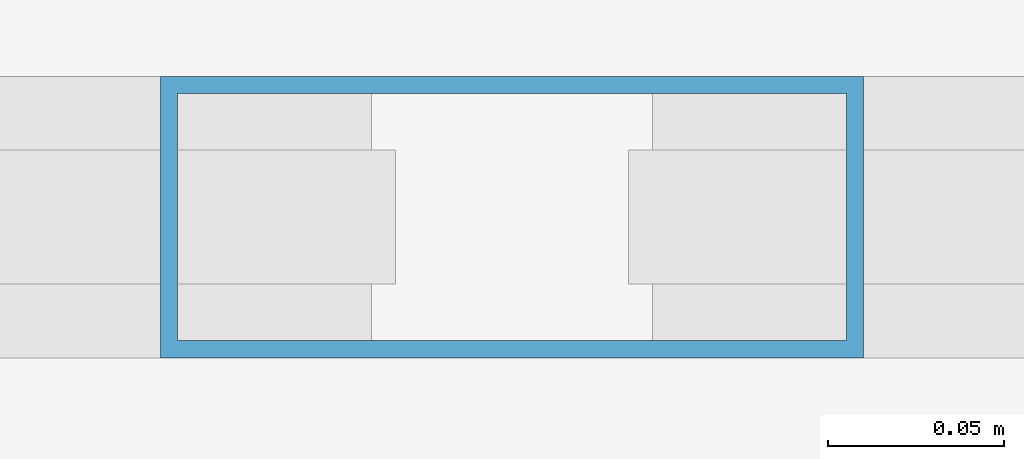
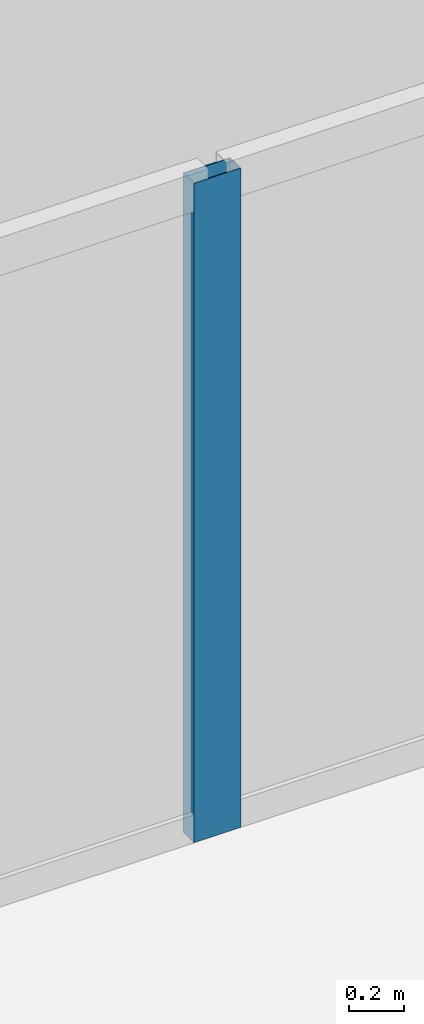
# One storey, part 12 of 21: 1 member, 1 element without a shape of its own.
"""IFC4 building model written with IfcOpenShell, lengths in metres."""

from ifc_helpers import new_model, si_unit, direction, frame, origin, origin_2d, place, context, subcontext, project, spatial, hollow_rectangle, extrude, source, transform, mapped, material, layer, layer_set, material_profile, profile_set, type_object, element, aggregate, save


model = new_model("IFC4")

# Units and contexts
model_context = context("Model", 3, precision=1e-05, world=origin(), true_north=direction((0.0, 1.0)))
body_context = subcontext(model_context, "Body", "Model", "MODEL_VIEW")
ifc_project = project(units=[si_unit("LENGTHUNIT", "METRE"), si_unit("AREAUNIT", "SQUARE_METRE"), si_unit("VOLUMEUNIT", "CUBIC_METRE"), si_unit("PLANEANGLEUNIT", "RADIAN"), si_unit("MASSUNIT", "GRAM", prefix="KILO")], contexts=[model_context])

# Site, building, storey
site_placement = place(None, origin())
site = spatial("IfcSite", under=ifc_project, at=site_placement, CompositionType="ELEMENT")
building_placement = place(site_placement, origin())
building = spatial("IfcBuilding", under=site, at=building_placement, Name="Kolveth Station Tower", CompositionType="ELEMENT")
storey_placement = place(building_placement, frame((0.0, 0.0, 92.699951171875)))
storey = spatial("IfcBuildingStorey", under=building, at=storey_placement, Name="L24", CompositionType="ELEMENT", Elevation=92.699951171875)

# Curtain wall, member
ifc_material_1 = material(Name="Aluminium 6063-T6 and low-E dark glass", Category="aluminium")
ifc_layer = layer(ifc_material_1, 0.18994140625)
ifc_layer_set = layer_set([ifc_layer], Name="Aluminium 6063-T6 and low-E dark glass")
curtain_wall_type = type_object("IfcCurtainWallType", Name="CurtainWall_CW-Z2", PredefinedType="NOTDEFINED", material=ifc_layer_set)
curtain_wall_placement = place(storey_placement, origin())
curtain_wall = element("IfcCurtainWall", 1, at=curtain_wall_placement, inside=storey, type_object=curtain_wall_type, Name="L24 Inner Thermal Curtain Wall 6", PredefinedType="NOTDEFINED")
ifc_material_2 = material(Name="Black anodized aluminium 6063-T6", Category="aluminium")
ifc_material_profile = material_profile(ifc_material_2, hollow_rectangle(XDim=0.080078125, YDim=0.199951171875, WallThickness=0.0048828125, at=origin_2d()), Name="ALU-80x200x5")
ifc_profile_set = profile_set([ifc_material_profile], Name="Black anodized aluminium 6063-T6")
member_type = type_object("IfcMemberType", Name="Mullion_ML2", PredefinedType="MULLION", material=ifc_profile_set)
shared_shape = source(origin(), body_context, "Body", "SweptSolid", [
    extrude(hollow_rectangle(XDim=0.080078125, YDim=0.199951171875, WallThickness=0.0048828125, at=origin_2d()), origin(), (0.0, 0.0, 1.0), 2.949951171875),
])
member_placement = place(storey_placement, frame((23.5, 35.179931640625, 0.0), z_axis=(0.0, 0.0, 1.0), x_axis=(0.0, -1.0, 0.0)))
member = element("IfcMember", 2, at=member_placement, type_object=member_type, Name="CW-Z2 mullion 2", PredefinedType="MULLION", context=body_context, shape_type="MappedRepresentation", body=[
    mapped(shared_shape, transform((0.0, 0.0, 0.0), x_axis=(1.0, 0.0, 0.0), y_axis=(0.0, 1.0, 0.0), z_axis=(0.0, 0.0, 1.0), scale=1.0)),
])
aggregate(curtain_wall, [member])

save(model, "model.ifc")
